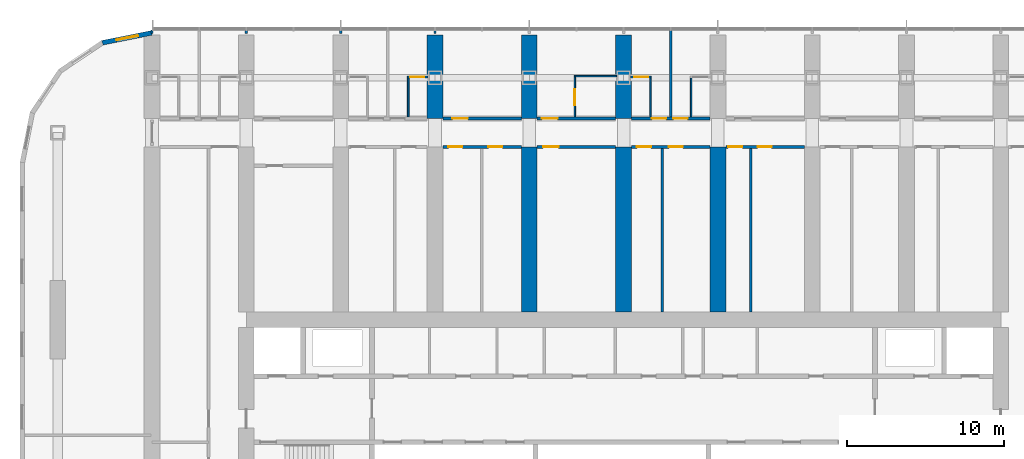
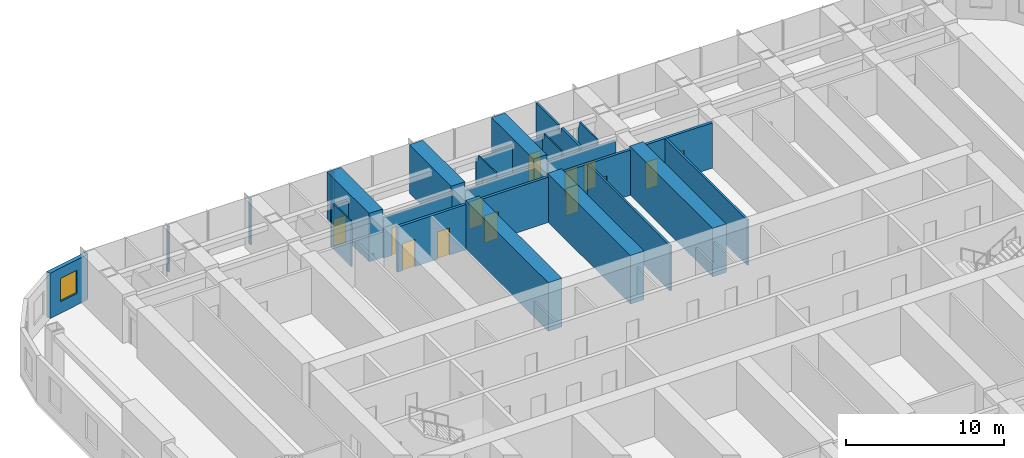
# One storey, part 15 of 23: 28 walls, 14 doors, 1 window, 15 openings.
"""IFC4 building model written with IfcOpenShell, lengths in metres."""

from ifc_helpers import new_model, si_unit, direction, frame, frame_2d, origin, place, context, subcontext, project, spatial, polyline, rectangle, outline, extrude, material, layer, layer_set, type_object, element, fill, save


model = new_model("IFC4")

# Units and contexts
model_context = context("Model", 3, precision=1e-05, world=origin(), true_north=direction((0.0, 1.0)))
body_context = subcontext(model_context, "Body", "Model", "MODEL_VIEW")
ifc_project = project(units=[si_unit("LENGTHUNIT", "METRE"), si_unit("AREAUNIT", "SQUARE_METRE"), si_unit("VOLUMEUNIT", "CUBIC_METRE"), si_unit("PLANEANGLEUNIT", "RADIAN"), si_unit("MASSUNIT", "GRAM", prefix="KILO")], contexts=[model_context])

# Site, building, storey
site_placement = place(None, origin())
site = spatial("IfcSite", under=ifc_project, at=site_placement, CompositionType="ELEMENT")
building_placement = place(site_placement, origin())
building = spatial("IfcBuilding", under=site, at=building_placement, Name="Orbita Commons", CompositionType="ELEMENT")
storey_placement = place(building_placement, frame((0.0, 0.0, 61.449951171875)))
storey = spatial("IfcBuildingStorey", under=building, at=storey_placement, Name="L15", CompositionType="ELEMENT", Elevation=61.449951171875)

# Wall, opening, door
ifc_material_1 = material(Name="Concrete blockwork", Category="masonry")
ifc_layer_1 = layer(ifc_material_1, 0.199951171875)
ifc_layer_set_1 = layer_set([ifc_layer_1], Name="Concrete blockwork")
wall_type_1 = type_object("IfcWallType", Name="Corridor wall 200 blockwork", PredefinedType="SOLIDWALL", material=ifc_layer_set_1)
wall_1_placement = place(storey_placement, frame((30.5, 51.0, 0.0), z_axis=(0.0, 0.0, 1.0), x_axis=(1.0, 0.0, 0.0)))
wall_1 = element("IfcWall", 1, at=wall_1_placement, inside=storey, type_object=wall_type_1, Name="Corridor wall 200 blockwork L15", PredefinedType="SOLIDWALL", context=body_context, shape_type="SweptSolid", body=[
    extrude(outline(polyline([(0.0, 0.0), (5.0, 0.0), (5.0, 3.10009765625), (0.0, 3.10009765625), (0.0, 0.0)])), frame((0.0, 0.10009765625, 0.0), z_axis=(0.0, -1.0, 0.0), x_axis=(1.0, 0.0, 0.0)), (0.0, 0.0, 1.0), 0.199951171875),
])
opening_1_placement = place(wall_1_placement, frame((0.60009765625, 0.0, 0.0)))
opening_1 = element("IfcOpeningElement", 2, at=opening_1_placement, cuts=wall_1, Name="Opening D06", PredefinedType="OPENING", context=body_context, shape_type="SweptSolid", body=[
    extrude(rectangle(XDim=1.0, YDim=2.10009765625, at=frame_2d((0.5, 1.050048828125))), frame((0.0, 0.10986328125, 0.0), z_axis=(0.0, -1.0, 0.0), x_axis=(1.0, 0.0, 0.0)), (0.0, 0.0, 1.0), 0.219970703125),
])
ifc_material_2 = material(Name="Steel-faced fire door leaf", Category="steel")
door_type_1 = type_object("IfcDoorType", Name="Corridor door 20 min 1000x2100", OperationType="SINGLE_SWING_LEFT", PredefinedType="DOOR", material=ifc_material_2)
door_1_placement = place(opening_1_placement, origin())
door_1 = element("IfcDoor", 3, at=door_1_placement, inside=storey, type_object=door_type_1, Name="House common room L15-N06 door", OperationType="SINGLE_SWING_LEFT", OverallHeight=2.10009765625, OverallWidth=1.0, PredefinedType="DOOR", context=body_context, shape_type="SweptSolid", body=[
    extrude(rectangle(XDim=1.0, YDim=2.10009765625, at=frame_2d((0.5, 1.050048828125))), frame((0.0, 0.02490234375, 0.0), z_axis=(0.0, -1.0, 0.0), x_axis=(1.0, 0.0, 0.0)), (0.0, 0.0, 1.0), 0.050048828125),
])
fill(opening_1, door_1)

wall_2_placement = place(storey_placement, frame((36.5, 51.0, 0.0), z_axis=(0.0, 0.0, 1.0), x_axis=(1.0, 0.0, 0.0)))
wall_2 = element("IfcWall", 4, at=wall_2_placement, inside=storey, type_object=wall_type_1, Name="Corridor wall 200 blockwork L15", PredefinedType="SOLIDWALL", context=body_context, shape_type="SweptSolid", body=[
    extrude(outline(polyline([(0.0, 0.0), (5.0, 0.0), (5.0, 3.10009765625), (0.0, 3.10009765625), (0.0, 0.0)])), frame((0.0, 0.10009765625, 0.0), z_axis=(0.0, -1.0, 0.0), x_axis=(1.0, 0.0, 0.0)), (0.0, 0.0, 1.0), 0.199951171875),
])
opening_2_placement = place(wall_2_placement, frame((0.300048828125, 0.0, 0.0)))
opening_2 = element("IfcOpeningElement", 5, at=opening_2_placement, cuts=wall_2, Name="Opening D06", PredefinedType="OPENING", context=body_context, shape_type="SweptSolid", body=[
    extrude(rectangle(XDim=1.0, YDim=2.10009765625, at=frame_2d((0.5, 1.050048828125))), frame((0.0, 0.10986328125, 0.0), z_axis=(0.0, -1.0, 0.0), x_axis=(1.0, 0.0, 0.0)), (0.0, 0.0, 1.0), 0.219970703125),
])
door_2_placement = place(opening_2_placement, origin())
door_2 = element("IfcDoor", 6, at=door_2_placement, inside=storey, type_object=door_type_1, Name="Accessible bedroom L15-N08 door", OperationType="SINGLE_SWING_LEFT", OverallHeight=2.10009765625, OverallWidth=1.0, PredefinedType="DOOR", context=body_context, shape_type="SweptSolid", body=[
    extrude(rectangle(XDim=1.0, YDim=2.10009765625, at=frame_2d((0.5, 1.050048828125))), frame((0.0, 0.02490234375, 0.0), z_axis=(0.0, -1.0, 0.0), x_axis=(1.0, 0.0, 0.0)), (0.0, 0.0, 1.0), 0.050048828125),
])
fill(opening_2, door_2)

# Wall, openings, doors
wall_3_placement = place(storey_placement, frame((42.5, 51.0, 0.0), z_axis=(0.0, 0.0, 1.0), x_axis=(1.0, 0.0, 0.0)))
wall_3 = element("IfcWall", 7, at=wall_3_placement, inside=storey, type_object=wall_type_1, Name="Corridor wall 200 blockwork L15", PredefinedType="SOLIDWALL", context=body_context, shape_type="SweptSolid", body=[
    extrude(outline(polyline([(0.0, 0.0), (5.0, 0.0), (5.0, 3.10009765625), (0.0, 3.10009765625), (0.0, 0.0)])), frame((0.0, 0.10009765625, 0.0), z_axis=(0.0, -1.0, 0.0), x_axis=(1.0, 0.0, 0.0)), (0.0, 0.0, 1.0), 0.199951171875),
])
opening_3_placement = place(wall_3_placement, frame((1.300048828125, 0.0, 0.0)))
opening_3 = element("IfcOpeningElement", 8, at=opening_3_placement, cuts=wall_3, Name="Opening D11", PredefinedType="OPENING", context=body_context, shape_type="SweptSolid", body=[
    extrude(rectangle(XDim=0.89990234375, YDim=2.10009765625, at=frame_2d((0.449951171875, 1.050048828125))), frame((0.0, 0.10986328125, 0.0), z_axis=(0.0, -1.0, 0.0), x_axis=(1.0, 0.0, 0.0)), (0.0, 0.0, 1.0), 0.219970703125),
])
opening_4_placement = place(wall_3_placement, frame((2.675048828125, 0.0, 0.0)))
opening_4 = element("IfcOpeningElement", 9, at=opening_4_placement, cuts=wall_3, Name="Opening D11", PredefinedType="OPENING", context=body_context, shape_type="SweptSolid", body=[
    extrude(rectangle(XDim=0.89990234375, YDim=2.10009765625, at=frame_2d((0.449951171875, 1.050048828125))), frame((0.0, 0.10986328125, 0.0), z_axis=(0.0, -1.0, 0.0), x_axis=(1.0, 0.0, 0.0)), (0.0, 0.0, 1.0), 0.219970703125),
])
ifc_material_3 = material(Name="Steel-faced fire door leaf", Category="steel")
door_type_2 = type_object("IfcDoorType", Name="Corridor door 20 min 900x2100", OperationType="SINGLE_SWING_LEFT", PredefinedType="DOOR", material=ifc_material_3)
door_3_placement = place(opening_3_placement, origin())
door_3 = element("IfcDoor", 10, at=door_3_placement, inside=storey, type_object=door_type_2, Name="House bedroom L15-N10 door", OperationType="SINGLE_SWING_LEFT", OverallHeight=2.10009765625, OverallWidth=0.89990234375, PredefinedType="DOOR", context=body_context, shape_type="SweptSolid", body=[
    extrude(rectangle(XDim=0.89990234375, YDim=2.10009765625, at=frame_2d((0.449951171875, 1.050048828125))), frame((0.0, 0.02490234375, 0.0), z_axis=(0.0, -1.0, 0.0), x_axis=(1.0, 0.0, 0.0)), (0.0, 0.0, 1.0), 0.050048828125),
])
fill(opening_3, door_3)
door_4_placement = place(opening_4_placement, origin())
door_4 = element("IfcDoor", 11, at=door_4_placement, inside=storey, type_object=door_type_2, Name="House bedroom L15-N11 door", OperationType="SINGLE_SWING_LEFT", OverallHeight=2.10009765625, OverallWidth=0.89990234375, PredefinedType="DOOR", context=body_context, shape_type="SweptSolid", body=[
    extrude(rectangle(XDim=0.89990234375, YDim=2.10009765625, at=frame_2d((0.449951171875, 1.050048828125))), frame((0.0, 0.02490234375, 0.0), z_axis=(0.0, -1.0, 0.0), x_axis=(1.0, 0.0, 0.0)), (0.0, 0.0, 1.0), 0.050048828125),
])
fill(opening_4, door_4)

ifc_material_4 = material(Name="Hollow concrete block 200", Category="concrete")
ifc_layer_2 = layer(ifc_material_4, 0.199951171875)
ifc_layer_set_2 = layer_set([ifc_layer_2], Name="Hollow concrete block 200")
wall_type_2 = type_object("IfcWallType", Name="Corridor wall 200 hollow concrete block", PredefinedType="SOLIDWALL", material=ifc_layer_set_2)
wall_4_placement = place(storey_placement, frame((30.5, 49.199951171875, 0.0), z_axis=(0.0, 0.0, 1.0), x_axis=(1.0, 0.0, 0.0)))
wall_4 = element("IfcWall", 12, at=wall_4_placement, inside=storey, type_object=wall_type_2, Name="Corridor wall 200 hollow concrete block L15", PredefinedType="SOLIDWALL", context=body_context, shape_type="SweptSolid", body=[
    extrude(rectangle(XDim=5.0, YDim=0.199951171875, at=frame_2d((2.5, 0.0))), origin(), (0.0, 0.0, 1.0), 3.5),
])
opening_5_placement = place(wall_4_placement, frame((0.35009765625, 0.0, 0.0)))
opening_5 = element("IfcOpeningElement", 13, at=opening_5_placement, cuts=wall_4, Name="Opening D11", PredefinedType="OPENING", context=body_context, shape_type="SweptSolid", body=[
    extrude(rectangle(XDim=0.89990234375, YDim=2.10009765625, at=frame_2d((0.449951171875, 1.050048828125))), frame((0.0, 0.10986328125, 0.0), z_axis=(0.0, -1.0, 0.0), x_axis=(1.0, 0.0, 0.0)), (0.0, 0.0, 1.0), 0.219970703125),
])
opening_6_placement = place(wall_4_placement, frame((2.89501953125, 0.0, 0.0)))
opening_6 = element("IfcOpeningElement", 14, at=opening_6_placement, cuts=wall_4, Name="Opening D11", PredefinedType="OPENING", context=body_context, shape_type="SweptSolid", body=[
    extrude(rectangle(XDim=0.89990234375, YDim=2.10009765625, at=frame_2d((0.449951171875, 1.050048828125))), frame((0.0, 0.10986328125, 0.0), z_axis=(0.0, -1.0, 0.0), x_axis=(1.0, 0.0, 0.0)), (0.0, 0.0, 1.0), 0.219970703125),
])
door_5_placement = place(opening_5_placement, origin())
door_5 = element("IfcDoor", 15, at=door_5_placement, inside=storey, type_object=door_type_2, Name="Sprinkler valve room L15-BDN30n door", OperationType="SINGLE_SWING_LEFT", OverallHeight=2.10009765625, OverallWidth=0.89990234375, PredefinedType="DOOR", context=body_context, shape_type="SweptSolid", body=[
    extrude(rectangle(XDim=0.89990234375, YDim=2.10009765625, at=frame_2d((0.449951171875, 1.050048828125))), frame((0.0, 0.02490234375, 0.0), z_axis=(0.0, -1.0, 0.0), x_axis=(1.0, 0.0, 0.0)), (0.0, 0.0, 1.0), 0.050048828125),
])
fill(opening_5, door_5)
door_6_placement = place(opening_6_placement, origin())
door_6 = element("IfcDoor", 16, at=door_6_placement, inside=storey, type_object=door_type_2, Name="Electrical and data room L15-BDN30 door", OperationType="SINGLE_SWING_LEFT", OverallHeight=2.10009765625, OverallWidth=0.89990234375, PredefinedType="DOOR", context=body_context, shape_type="SweptSolid", body=[
    extrude(rectangle(XDim=0.89990234375, YDim=2.10009765625, at=frame_2d((0.449951171875, 1.050048828125))), frame((0.0, 0.02490234375, 0.0), z_axis=(0.0, -1.0, 0.0), x_axis=(1.0, 0.0, 0.0)), (0.0, 0.0, 1.0), 0.050048828125),
])
fill(opening_6, door_6)

# Wall, opening, door
wall_5_placement = place(storey_placement, frame((36.5, 49.199951171875, 0.0), z_axis=(0.0, 0.0, 1.0), x_axis=(1.0, 0.0, 0.0)))
wall_5 = element("IfcWall", 17, at=wall_5_placement, inside=storey, type_object=wall_type_2, Name="Corridor wall 200 hollow concrete block L15", PredefinedType="SOLIDWALL", context=body_context, shape_type="SweptSolid", body=[
    extrude(rectangle(XDim=5.0, YDim=0.199951171875, at=frame_2d((2.5, 0.0))), origin(), (0.0, 0.0, 1.0), 3.5),
])
opening_7_placement = place(wall_5_placement, frame((0.375, 0.0, 0.0)))
opening_7 = element("IfcOpeningElement", 18, at=opening_7_placement, cuts=wall_5, Name="Opening D06", PredefinedType="OPENING", context=body_context, shape_type="SweptSolid", body=[
    extrude(rectangle(XDim=1.0, YDim=2.10009765625, at=frame_2d((0.5, 1.050048828125))), frame((0.0, 0.10986328125, 0.0), z_axis=(0.0, -1.0, 0.0), x_axis=(1.0, 0.0, 0.0)), (0.0, 0.0, 1.0), 0.219970703125),
])
door_7_placement = place(opening_7_placement, origin())
door_7 = element("IfcDoor", 19, at=door_7_placement, inside=storey, type_object=door_type_1, Name="Store L15-BDN36 door", OperationType="SINGLE_SWING_LEFT", OverallHeight=2.10009765625, OverallWidth=1.0, PredefinedType="DOOR", context=body_context, shape_type="SweptSolid", body=[
    extrude(rectangle(XDim=1.0, YDim=2.10009765625, at=frame_2d((0.5, 1.050048828125))), frame((0.0, 0.02490234375, 0.0), z_axis=(0.0, -1.0, 0.0), x_axis=(1.0, 0.0, 0.0)), (0.0, 0.0, 1.0), 0.050048828125),
])
fill(opening_7, door_7)

# Wall, openings, doors
wall_6_placement = place(storey_placement, frame((42.5, 49.199951171875, 0.0), z_axis=(0.0, 0.0, 1.0), x_axis=(1.0, 0.0, 0.0)))
wall_6 = element("IfcWall", 20, at=wall_6_placement, inside=storey, type_object=wall_type_2, Name="Corridor wall 200 hollow concrete block L15", PredefinedType="SOLIDWALL", context=body_context, shape_type="SweptSolid", body=[
    extrude(rectangle(XDim=5.0, YDim=0.199951171875, at=frame_2d((2.5, 0.0))), origin(), (0.0, 0.0, 1.0), 3.5),
])
opening_8_placement = place(wall_6_placement, frame((0.35009765625, 0.0, 0.0)))
opening_8 = element("IfcOpeningElement", 21, at=opening_8_placement, cuts=wall_6, Name="Opening D11", PredefinedType="OPENING", context=body_context, shape_type="SweptSolid", body=[
    extrude(rectangle(XDim=0.89990234375, YDim=2.10009765625, at=frame_2d((0.449951171875, 1.050048828125))), frame((0.0, 0.10986328125, 0.0), z_axis=(0.0, -1.0, 0.0), x_axis=(1.0, 0.0, 0.0)), (0.0, 0.0, 1.0), 0.219970703125),
])
opening_9_placement = place(wall_6_placement, frame((2.375, 0.0, 0.0)))
opening_9 = element("IfcOpeningElement", 22, at=opening_9_placement, cuts=wall_6, Name="Opening D11", PredefinedType="OPENING", context=body_context, shape_type="SweptSolid", body=[
    extrude(rectangle(XDim=0.89990234375, YDim=2.10009765625, at=frame_2d((0.449951171875, 1.050048828125))), frame((0.0, 0.10986328125, 0.0), z_axis=(0.0, -1.0, 0.0), x_axis=(1.0, 0.0, 0.0)), (0.0, 0.0, 1.0), 0.219970703125),
])
door_8_placement = place(opening_8_placement, origin())
door_8 = element("IfcDoor", 23, at=door_8_placement, inside=storey, type_object=door_type_2, Name="Riser access cupboard L15-BDN42n door", OperationType="SINGLE_SWING_LEFT", OverallHeight=2.10009765625, OverallWidth=0.89990234375, PredefinedType="DOOR", context=body_context, shape_type="SweptSolid", body=[
    extrude(rectangle(XDim=0.89990234375, YDim=2.10009765625, at=frame_2d((0.449951171875, 1.050048828125))), frame((0.0, 0.02490234375, 0.0), z_axis=(0.0, -1.0, 0.0), x_axis=(1.0, 0.0, 0.0)), (0.0, 0.0, 1.0), 0.050048828125),
])
fill(opening_8, door_8)
door_9_placement = place(opening_9_placement, origin())
door_9 = element("IfcDoor", 24, at=door_9_placement, inside=storey, type_object=door_type_2, Name="Bulk and luggage store L15-BDN42 door", OperationType="SINGLE_SWING_LEFT", OverallHeight=2.10009765625, OverallWidth=0.89990234375, PredefinedType="DOOR", context=body_context, shape_type="SweptSolid", body=[
    extrude(rectangle(XDim=0.89990234375, YDim=2.10009765625, at=frame_2d((0.449951171875, 1.050048828125))), frame((0.0, 0.02490234375, 0.0), z_axis=(0.0, -1.0, 0.0), x_axis=(1.0, 0.0, 0.0)), (0.0, 0.0, 1.0), 0.050048828125),
])
fill(opening_9, door_9)

wall_7_placement = place(storey_placement, frame((48.5, 49.199951171875, 0.0), z_axis=(0.0, 0.0, 1.0), x_axis=(1.0, 0.0, 0.0)))
wall_7 = element("IfcWall", 25, at=wall_7_placement, inside=storey, type_object=wall_type_2, Name="Corridor wall 200 hollow concrete block L15", PredefinedType="SOLIDWALL", context=body_context, shape_type="SweptSolid", body=[
    extrude(rectangle(XDim=5.0, YDim=0.199951171875, at=frame_2d((2.5, 0.0))), origin(), (0.0, 0.0, 1.0), 3.5),
])
opening_10_placement = place(wall_7_placement, frame((0.14990234375, 0.0, 0.0)))
opening_10 = element("IfcOpeningElement", 26, at=opening_10_placement, cuts=wall_7, Name="Opening D11", PredefinedType="OPENING", context=body_context, shape_type="SweptSolid", body=[
    extrude(rectangle(XDim=0.89990234375, YDim=2.10009765625, at=frame_2d((0.449951171875, 1.050048828125))), frame((0.0, 0.10986328125, 0.0), z_axis=(0.0, -1.0, 0.0), x_axis=(1.0, 0.0, 0.0)), (0.0, 0.0, 1.0), 0.219970703125),
])
opening_11_placement = place(wall_7_placement, frame((2.02001953125, 0.0, 0.0)))
opening_11 = element("IfcOpeningElement", 27, at=opening_11_placement, cuts=wall_7, Name="Opening D11", PredefinedType="OPENING", context=body_context, shape_type="SweptSolid", body=[
    extrude(rectangle(XDim=0.89990234375, YDim=2.10009765625, at=frame_2d((0.449951171875, 1.050048828125))), frame((0.0, 0.10986328125, 0.0), z_axis=(0.0, -1.0, 0.0), x_axis=(1.0, 0.0, 0.0)), (0.0, 0.0, 1.0), 0.219970703125),
])
door_10_placement = place(opening_10_placement, origin())
door_10 = element("IfcDoor", 28, at=door_10_placement, inside=storey, type_object=door_type_2, Name="Water heater cupboard L15-BDN48n door", OperationType="SINGLE_SWING_LEFT", OverallHeight=2.10009765625, OverallWidth=0.89990234375, PredefinedType="DOOR", context=body_context, shape_type="SweptSolid", body=[
    extrude(rectangle(XDim=0.89990234375, YDim=2.10009765625, at=frame_2d((0.449951171875, 1.050048828125))), frame((0.0, 0.02490234375, 0.0), z_axis=(0.0, -1.0, 0.0), x_axis=(1.0, 0.0, 0.0)), (0.0, 0.0, 1.0), 0.050048828125),
])
fill(opening_10, door_10)
door_11_placement = place(opening_11_placement, origin())
door_11 = element("IfcDoor", 29, at=door_11_placement, inside=storey, type_object=door_type_2, Name="Linen store L15-BDN48 door", OperationType="SINGLE_SWING_LEFT", OverallHeight=2.10009765625, OverallWidth=0.89990234375, PredefinedType="DOOR", context=body_context, shape_type="SweptSolid", body=[
    extrude(rectangle(XDim=0.89990234375, YDim=2.10009765625, at=frame_2d((0.449951171875, 1.050048828125))), frame((0.0, 0.02490234375, 0.0), z_axis=(0.0, -1.0, 0.0), x_axis=(1.0, 0.0, 0.0)), (0.0, 0.0, 1.0), 0.050048828125),
])
fill(opening_11, door_11)

# Walls
ifc_material_5 = material(Name="Concrete C50/60", Category="concrete")
ifc_layer_3 = layer(ifc_material_5, 1.0)
ifc_layer_set_3 = layer_set([ifc_layer_3], Name="Concrete C50/60")
wall_type_3 = type_object("IfcWallType", Name="Cross wall 1000 C50/60", PredefinedType="SHEAR", material=ifc_layer_set_3)
for number, where, z_axis, x_axis, name in (
    (30, (30.0, 51.0, 0.0), (0.0, 0.0, 1.0), (0.0, 1.0, 0.0), "Cross wall 6 north outer L15"),
    (31, (36.0, 51.0, 0.0), (0.0, 0.0, 1.0), (0.0, 1.0, 0.0), "Cross wall 7 north outer L15"),
):
    element("IfcWall", number, at=place(storey_placement, frame(where, z_axis=z_axis, x_axis=x_axis)), inside=storey, type_object=wall_type_3, Name=name, PredefinedType="SHEAR", context=body_context, shape_type="SweptSolid", body=[
        extrude(rectangle(XDim=5.300048828125, YDim=1.0, at=frame_2d((2.64990234375, 0.0))), origin(), (0.0, 0.0, 1.0), 3.75),
    ])
wall_8_placement = place(storey_placement, frame((36.0, 38.699951171875, 0.0), z_axis=(0.0, 0.0, 1.0), x_axis=(0.0, 1.0, 0.0)))
element("IfcWall", 32, at=wall_8_placement, inside=storey, type_object=wall_type_3, Name="Cross wall 7 north inner L15", PredefinedType="SHEAR", context=body_context, shape_type="SweptSolid", body=[
    extrude(rectangle(XDim=10.5, YDim=1.0, at=frame_2d((5.25, 0.0))), origin(), (0.0, 0.0, 1.0), 3.75),
])
wall_9_placement = place(storey_placement, frame((42.0, 51.0, 0.0), z_axis=(0.0, 0.0, 1.0), x_axis=(0.0, 1.0, 0.0)))
element("IfcWall", 33, at=wall_9_placement, inside=storey, type_object=wall_type_3, Name="Cross wall 8 north outer L15", PredefinedType="SHEAR", context=body_context, shape_type="SweptSolid", body=[
    extrude(rectangle(XDim=5.300048828125, YDim=1.0, at=frame_2d((2.64990234375, 0.0))), origin(), (0.0, 0.0, 1.0), 3.75),
])
for number, where, z_axis, x_axis, name in (
    (34, (42.0, 38.699951171875, 0.0), (0.0, 0.0, 1.0), (0.0, 1.0, 0.0), "Cross wall 8 north inner L15"),
    (35, (48.0, 38.699951171875, 0.0), (0.0, 0.0, 1.0), (0.0, 1.0, 0.0), "Cross wall 9 north inner L15"),
):
    element("IfcWall", number, at=place(storey_placement, frame(where, z_axis=z_axis, x_axis=x_axis)), inside=storey, type_object=wall_type_3, Name=name, PredefinedType="SHEAR", context=body_context, shape_type="SweptSolid", body=[
        extrude(rectangle(XDim=10.5, YDim=1.0, at=frame_2d((5.25, 0.0))), origin(), (0.0, 0.0, 1.0), 3.75),
    ])

# Wall, opening, door
ifc_material_6 = material(Name="Moisture-resistant plasterboard on steel studs", Category="steel")
ifc_layer_4 = layer(ifc_material_6, 0.10009765625)
ifc_layer_set_4 = layer_set([ifc_layer_4], Name="Moisture-resistant plasterboard on steel studs")
wall_type_4 = type_object("IfcWallType", Name="En-suite partition 100", PredefinedType="PARTITIONING", material=ifc_layer_set_4)
wall_10_placement = place(storey_placement, frame((28.25, 53.6416015625, 0.0), z_axis=(0.0, 0.0, 1.0), x_axis=(1.0, 0.0, 0.0)))
wall_10 = element("IfcWall", 36, at=wall_10_placement, inside=storey, type_object=wall_type_4, Name="En-suite partition 100 L15", PredefinedType="PARTITIONING", context=body_context, shape_type="SweptSolid", body=[
    extrude(outline(polyline([(0.0, 0.0), (1.300048828125, 0.0), (1.300048828125, 3.10009765625), (0.0, 3.10009765625), (0.0, 0.0)])), frame((0.0, 0.050048828125, 0.0), z_axis=(0.0, -1.0, 0.0), x_axis=(1.0, 0.0, 0.0)), (0.0, 0.0, 1.0), 0.10009765625),
])
opening_12_placement = place(wall_10_placement, frame((0.175048828125, 0.0, 0.0)))
opening_12 = element("IfcOpeningElement", 37, at=opening_12_placement, cuts=wall_10, Name="Opening D09", PredefinedType="OPENING", context=body_context, shape_type="SweptSolid", body=[
    extrude(rectangle(XDim=0.89990234375, YDim=2.10009765625, at=frame_2d((0.449951171875, 1.050048828125))), frame((0.0, 0.06005859375, 0.0), z_axis=(0.0, -1.0, 0.0), x_axis=(1.0, 0.0, 0.0)), (0.0, 0.0, 1.0), 0.1201171875),
])
ifc_material_7 = material(Name="Laminated timber door leaf", Category="wood")
door_type_3 = type_object("IfcDoorType", Name="En-suite door 900x2100", OperationType="SINGLE_SWING_RIGHT", PredefinedType="DOOR", material=ifc_material_7)
door_12_placement = place(opening_12_placement, origin())
door_12 = element("IfcDoor", 38, at=door_12_placement, inside=storey, type_object=door_type_3, Name="En-suite L15-N05 door", OperationType="SINGLE_SWING_RIGHT", OverallHeight=2.10009765625, OverallWidth=0.89990234375, PredefinedType="DOOR", context=body_context, shape_type="SweptSolid", body=[
    extrude(rectangle(XDim=0.89990234375, YDim=2.10009765625, at=frame_2d((0.449951171875, 1.050048828125))), frame((0.0, 0.02490234375, 0.0), z_axis=(0.0, -1.0, 0.0), x_axis=(1.0, 0.0, 0.0)), (0.0, 0.0, 1.0), 0.050048828125),
])
fill(opening_12, door_12)

# Walls
wall_11_placement = place(storey_placement, frame((28.300048828125, 53.591796875, 0.0), z_axis=(0.0, 0.0, 1.0), x_axis=(0.0, -1.0, 0.0)))
element("IfcWall", 39, at=wall_11_placement, inside=storey, type_object=wall_type_4, Name="En-suite partition 100 L15", PredefinedType="PARTITIONING", context=body_context, shape_type="SweptSolid", body=[
    extrude(outline(polyline([(0.0, 0.0), (2.49169921875, 0.0), (2.49169921875, 3.10009765625), (2.443603515625, 3.10009765625), (2.441650390625, 3.5), (0.193603515625, 3.5), (0.191650390625, 3.10009765625), (0.0, 3.10009765625), (0.0, 0.0)])), frame((0.0, 0.050048828125, 0.0), z_axis=(0.0, -1.0, 0.0), x_axis=(1.0, 0.0, 0.0)), (0.0, 0.0, 1.0), 0.10009765625),
])
wall_12_placement = place(storey_placement, frame((38.85009765625, 53.699951171875, 0.0), z_axis=(0.0, 0.0, 1.0), x_axis=(1.0, 0.0, 0.0)))
element("IfcWall", 40, at=wall_12_placement, inside=storey, type_object=wall_type_4, Name="En-suite partition 100 L15", PredefinedType="PARTITIONING", context=body_context, shape_type="SweptSolid", body=[
    extrude(outline(polyline([(0.0, 0.0), (2.699951171875, 0.0), (2.699951171875, 3.10009765625), (0.0, 3.10009765625), (0.0, 0.0)])), frame((0.0, 0.050048828125, 0.0), z_axis=(0.0, -1.0, 0.0), x_axis=(1.0, 0.0, 0.0)), (0.0, 0.0, 1.0), 0.10009765625),
])

# Wall, opening, door
wall_13_placement = place(storey_placement, frame((38.89990234375, 53.64990234375, 0.0), z_axis=(0.0, 0.0, 1.0), x_axis=(0.0, -1.0, 0.0)))
wall_13 = element("IfcWall", 41, at=wall_13_placement, inside=storey, type_object=wall_type_4, Name="En-suite partition 100 L15", PredefinedType="PARTITIONING", context=body_context, shape_type="SweptSolid", body=[
    extrude(outline(polyline([(0.0, 0.0), (2.5498046875, 0.0), (2.550048828125, 3.10009765625), (2.501953125, 3.10009765625), (2.5, 3.5), (0.251953125, 3.5), (0.25, 3.10009765625), (0.0, 3.10009765625), (0.0, 0.0)])), frame((0.0, 0.050048828125, 0.0), z_axis=(0.0, -1.0, 0.0), x_axis=(1.0, 0.0, 0.0)), (0.0, 0.0, 1.0), 0.10009765625),
])
opening_13_placement = place(wall_13_placement, frame((0.800048828125, 0.0, 0.0)))
opening_13 = element("IfcOpeningElement", 42, at=opening_13_placement, cuts=wall_13, Name="Opening D13", PredefinedType="OPENING", context=body_context, shape_type="SweptSolid", body=[
    extrude(rectangle(XDim=1.0, YDim=2.10009765625, at=frame_2d((0.5, 1.050048828125))), frame((0.0, 0.06005859375, 0.0), z_axis=(0.0, -1.0, 0.0), x_axis=(1.0, 0.0, 0.0)), (0.0, 0.0, 1.0), 0.1201171875),
])
ifc_material_8 = material(Name="Laminated timber door leaf", Category="wood")
door_type_4 = type_object("IfcDoorType", Name="En-suite door 1000x2100", OperationType="SINGLE_SWING_RIGHT", PredefinedType="DOOR", material=ifc_material_8)
door_13_placement = place(opening_13_placement, origin())
door_13 = element("IfcDoor", 43, at=door_13_placement, inside=storey, type_object=door_type_4, Name="Accessible shower room L15-N08 door", OperationType="SINGLE_SWING_RIGHT", OverallHeight=2.10009765625, OverallWidth=1.0, PredefinedType="DOOR", context=body_context, shape_type="SweptSolid", body=[
    extrude(rectangle(XDim=1.0, YDim=2.10009765625, at=frame_2d((0.5, 1.050048828125))), frame((0.0, 0.02490234375, 0.0), z_axis=(0.0, -1.0, 0.0), x_axis=(1.0, 0.0, 0.0)), (0.0, 0.0, 1.0), 0.050048828125),
])
fill(opening_13, door_13)

wall_14_placement = place(storey_placement, frame((42.449951171875, 53.6416015625, 0.0), z_axis=(0.0, 0.0, 1.0), x_axis=(1.0, 0.0, 0.0)))
wall_14 = element("IfcWall", 44, at=wall_14_placement, inside=storey, type_object=wall_type_4, Name="En-suite partition 100 L15", PredefinedType="PARTITIONING", context=body_context, shape_type="SweptSolid", body=[
    extrude(outline(polyline([(0.0, 0.0), (1.300048828125, 0.0), (1.300048828125, 3.10009765625), (0.0, 3.10009765625), (0.0, 0.0)])), frame((0.0, 0.050048828125, 0.0), z_axis=(0.0, -1.0, 0.0), x_axis=(1.0, 0.0, 0.0)), (0.0, 0.0, 1.0), 0.10009765625),
])
opening_14_placement = place(wall_14_placement, frame((0.22509765625, 0.0, 0.0)))
opening_14 = element("IfcOpeningElement", 45, at=opening_14_placement, cuts=wall_14, Name="Opening D09", PredefinedType="OPENING", context=body_context, shape_type="SweptSolid", body=[
    extrude(rectangle(XDim=0.89990234375, YDim=2.10009765625, at=frame_2d((0.449951171875, 1.050048828125))), frame((0.0, 0.06005859375, 0.0), z_axis=(0.0, -1.0, 0.0), x_axis=(1.0, 0.0, 0.0)), (0.0, 0.0, 1.0), 0.1201171875),
])
door_14_placement = place(opening_14_placement, origin())
door_14 = element("IfcDoor", 46, at=door_14_placement, inside=storey, type_object=door_type_3, Name="En-suite L15-N10 door", OperationType="SINGLE_SWING_RIGHT", OverallHeight=2.10009765625, OverallWidth=0.89990234375, PredefinedType="DOOR", context=body_context, shape_type="SweptSolid", body=[
    extrude(rectangle(XDim=0.89990234375, YDim=2.10009765625, at=frame_2d((0.449951171875, 1.050048828125))), frame((0.0, 0.02490234375, 0.0), z_axis=(0.0, -1.0, 0.0), x_axis=(1.0, 0.0, 0.0)), (0.0, 0.0, 1.0), 0.050048828125),
])
fill(opening_14, door_14)

# Walls
for number, where, z_axis, x_axis, name in (
    (47, (43.699951171875, 53.591796875, 0.0), (0.0, 0.0, 1.0), (0.0, -1.0, 0.0), "En-suite partition 100 L15"),
    (48, (46.300048828125, 53.591796875, 0.0), (0.0, 0.0, 1.0), (0.0, -1.0, 0.0), "En-suite partition 100 L15"),
):
    element("IfcWall", number, at=place(storey_placement, frame(where, z_axis=z_axis, x_axis=x_axis)), inside=storey, type_object=wall_type_4, Name=name, PredefinedType="PARTITIONING", context=body_context, shape_type="SweptSolid", body=[
        extrude(outline(polyline([(0.0, 0.0), (2.49169921875, 0.0), (2.49169921875, 3.10009765625), (2.443603515625, 3.10009765625), (2.441650390625, 3.5), (0.193603515625, 3.5), (0.191650390625, 3.10009765625), (0.0, 3.10009765625), (0.0, 0.0)])), frame((0.0, 0.050048828125, 0.0), z_axis=(0.0, -1.0, 0.0), x_axis=(1.0, 0.0, 0.0)), (0.0, 0.0, 1.0), 0.10009765625),
    ])
ifc_material_9 = material(Name="Gypsum plasterboard on steel studs", Category="steel")
ifc_layer_5 = layer(ifc_material_9, 0.14990234375)
ifc_layer_set_5 = layer_set([ifc_layer_5], Name="Gypsum plasterboard on steel studs")
wall_type_5 = type_object("IfcWallType", Name="Partition 150 plasterboard", PredefinedType="PARTITIONING", material=ifc_layer_set_5)
for number, where, z_axis, x_axis, name in (
    (49, (44.449951171875, 38.699951171875, 0.0), (0.0, 0.0, 1.0), (0.0, 1.0, 0.0), "Partition 150 plasterboard L15"),
    (50, (50.094970703125, 38.699951171875, 0.0), (0.0, 0.0, 1.0), (0.0, 1.0, 0.0), "Partition 150 plasterboard L15"),
):
    element("IfcWall", number, at=place(storey_placement, frame(where, z_axis=z_axis, x_axis=x_axis)), inside=storey, type_object=wall_type_5, Name=name, PredefinedType="PARTITIONING", context=body_context, shape_type="SweptSolid", body=[
        extrude(rectangle(XDim=10.400146484375, YDim=0.14990234375, at=frame_2d((5.2001953125, 0.0))), origin(), (0.0, 0.0, 1.0), 3.5),
    ])
wall_15_placement = place(storey_placement, frame((12.0, 56.39990234375, 0.0), z_axis=(0.0, 0.0, 1.0), x_axis=(0.0, 1.0, 0.0)))
element("IfcWall", 51, at=wall_15_placement, inside=storey, type_object=wall_type_5, Name="Partition 150 plasterboard L15", PredefinedType="PARTITIONING", context=body_context, shape_type="SweptSolid", body=[
    extrude(rectangle(XDim=0.22021484375, YDim=0.14990234375, at=frame_2d((0.110107421875, 0.0))), origin(), (0.0, 0.0, 1.0), 3.5),
])
for number, where, z_axis, x_axis, name in (
    (52, (18.0, 56.39990234375, 0.0), (0.0, 0.0, 1.0), (0.0, 1.0, 0.0), "Partition 150 plasterboard L15"),
    (53, (24.0, 56.39990234375, 0.0), (0.0, 0.0, 1.0), (0.0, 1.0, 0.0), "Partition 150 plasterboard L15"),
    (54, (30.0, 56.39990234375, 0.0), (0.0, 0.0, 1.0), (0.0, 1.0, 0.0), "Partition 150 plasterboard L15"),
):
    element("IfcWall", number, at=place(storey_placement, frame(where, z_axis=z_axis, x_axis=x_axis)), inside=storey, type_object=wall_type_5, Name=name, PredefinedType="PARTITIONING", context=body_context, shape_type="SweptSolid", body=[
        extrude(rectangle(XDim=0.190185546875, YDim=0.14990234375, at=frame_2d((0.09521484375, 0.0))), origin(), (0.0, 0.0, 1.0), 3.5),
    ])
ifc_material_10 = material(Name="Gypsum plasterboard on steel studs", Category="steel")
ifc_layer_6 = layer(ifc_material_10, 0.14990234375)
ifc_layer_set_6 = layer_set([ifc_layer_6], Name="Gypsum plasterboard on steel studs")
wall_type_6 = type_object("IfcWallType", Name="Party wall 150 plasterboard", PredefinedType="PARTITIONING", material=ifc_layer_set_6)
wall_16_placement = place(storey_placement, frame((45.0, 56.590087890625, 0.0), z_axis=(0.0, 0.0, 1.0), x_axis=(0.0, -1.0, 0.0)))
element("IfcWall", 55, at=wall_16_placement, inside=storey, type_object=wall_type_6, Name="Party wall 150 plasterboard L15", PredefinedType="PARTITIONING", context=body_context, shape_type="SweptSolid", body=[
    extrude(outline(polyline([(0.0, 0.0), (5.489990234375, 0.0), (5.489990234375, 3.10009765625), (5.44189453125, 3.10009765625), (5.43994140625, 3.5), (3.19189453125, 3.5), (3.18994140625, 3.10009765625), (2.7919921875, 3.10009765625), (2.7900390625, 3.5), (0.0, 3.5), (0.0, 0.0)])), frame((0.0, 0.074951171875, 0.0), z_axis=(0.0, -1.0, 0.0), x_axis=(1.0, 0.0, 0.0)), (0.0, 0.0, 1.0), 0.14990234375),
])

# Wall, opening, window
ifc_material_11 = material(Name="Precast concrete C40/50, white board-marked finish", Category="concrete")
ifc_layer_7 = layer(ifc_material_11, 0.300048828125)
ifc_layer_set_7 = layer_set([ifc_layer_7], Name="Precast concrete C40/50, white board-marked finish")
wall_type_7 = type_object("IfcWallType", Name="Precast concrete end shield 300", PredefinedType="SOLIDWALL", material=ifc_layer_set_7)
wall_17_placement = place(storey_placement, frame((12.0, 56.449951171875, 0.0), z_axis=(0.0, 0.0, 1.0), x_axis=(-0.980787251524, -0.195080412259, 0.0)))
wall_17 = element("IfcWall", 56, at=wall_17_placement, inside=storey, type_object=wall_type_7, Name="End shield NW chord 1 L15", PredefinedType="SOLIDWALL", context=body_context, shape_type="SweptSolid", body=[
    extrude(outline(polyline([(-0.02978515625, -0.14990234375), (3.24853515625, -0.14990234375), (3.18896484375, 0.14990234375), (0.02978515625, 0.14990234375), (-0.02978515625, -0.14990234375)])), origin(), (0.0, 0.0, 1.0), 3.5),
])
opening_15_placement = place(wall_17_placement, frame((0.909423828125, 0.0, 0.89990234375)))
opening_15 = element("IfcOpeningElement", 57, at=opening_15_placement, cuts=wall_17, Name="Opening W02", PredefinedType="OPENING", context=body_context, shape_type="SweptSolid", body=[
    extrude(rectangle(XDim=1.39990234375, YDim=1.800048828125, at=frame_2d((0.699951171875, 0.89990234375))), frame((0.0, 0.159912109375, 0.0), z_axis=(0.0, -1.0, 0.0), x_axis=(1.0, 0.0, 0.0)), (0.0, 0.0, 1.0), 0.320068359375),
])
ifc_material_12 = material(Name="Aluminium frame, clear double glazing", Category="aluminium")
window_type = type_object("IfcWindowType", Name="Deep-set window 1400x1800", PartitioningType="SINGLE_PANEL", PredefinedType="WINDOW", material=ifc_material_12)
window_placement = place(opening_15_placement, origin())
window = element("IfcWindow", 58, at=window_placement, inside=storey, type_object=window_type, Name="Window L15-NW0", OverallHeight=1.800048828125, OverallWidth=1.39990234375, PartitioningType="SINGLE_PANEL", PredefinedType="WINDOW", context=body_context, shape_type="SweptSolid", body=[
    extrude(rectangle(XDim=1.39990234375, YDim=1.800048828125, at=frame_2d((0.699951171875, 0.89990234375))), frame((0.0, 0.030029296875, 0.0), z_axis=(0.0, -1.0, 0.0), x_axis=(1.0, 0.0, 0.0)), (0.0, 0.0, 1.0), 0.06005859375),
])
fill(opening_15, window)

save(model, "model.ifc")
